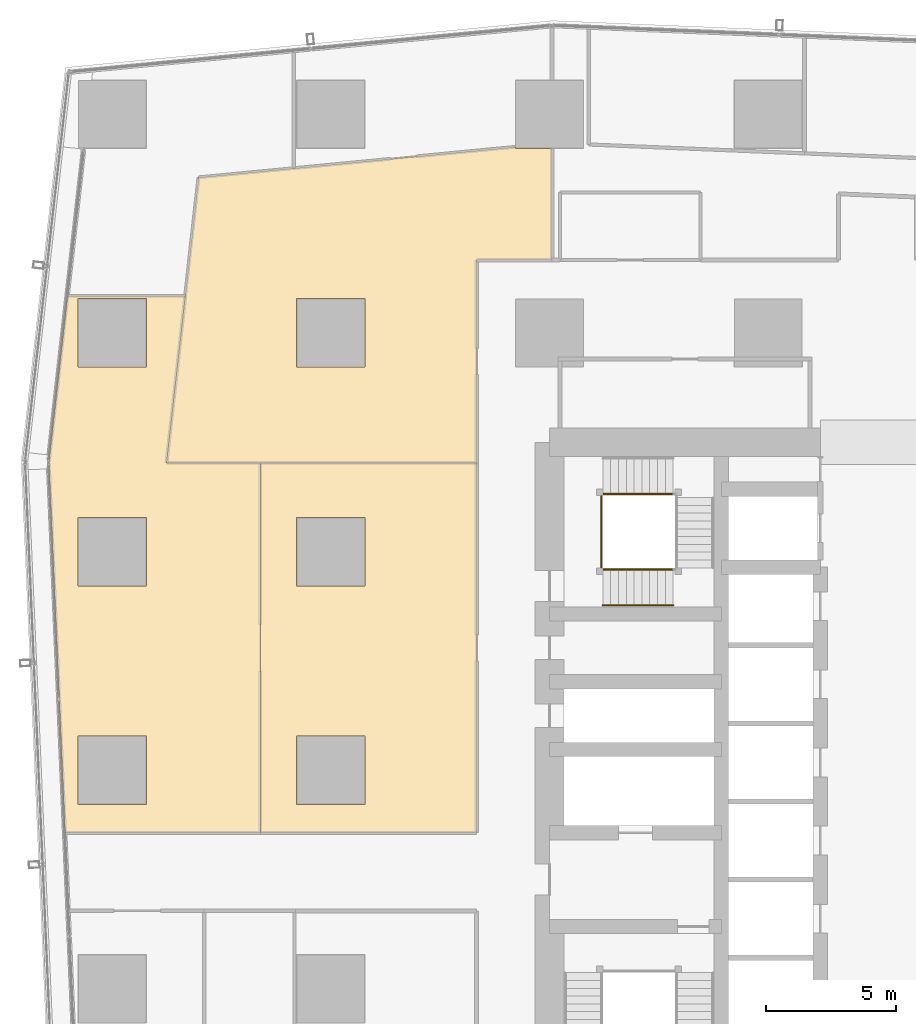
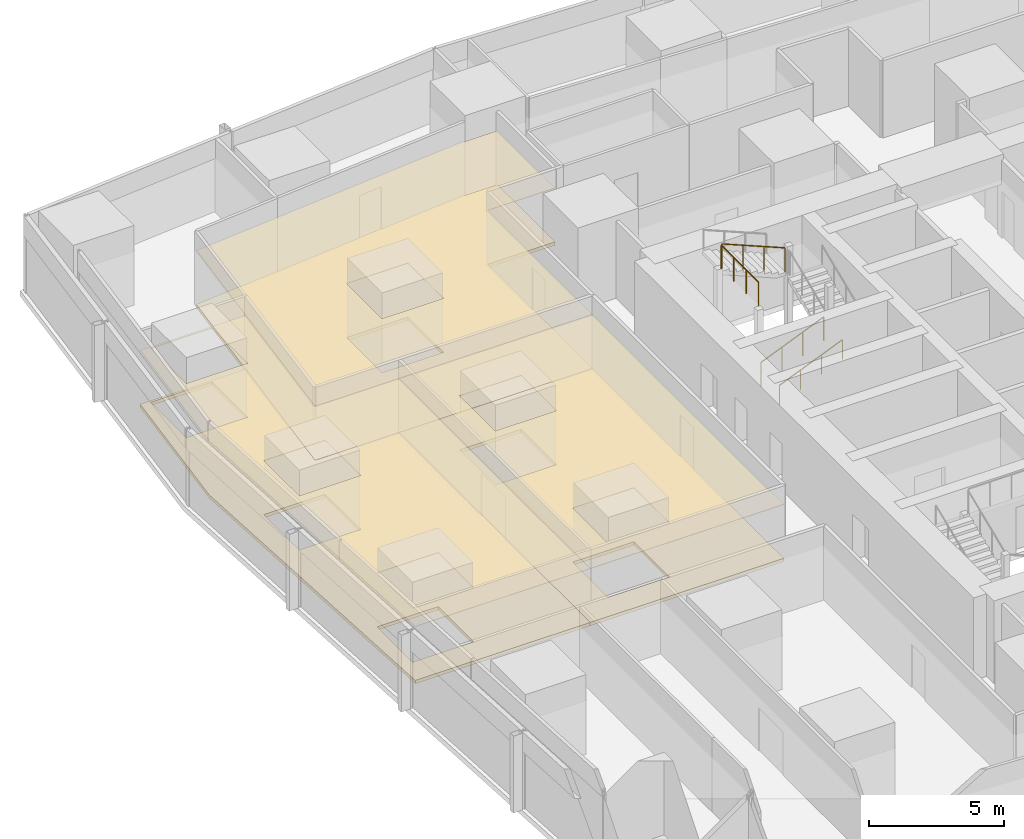
# One storey, part 42 of 46: 6 coverings, 4 railings.
"""IFC4 building model written with IfcOpenShell, lengths in metres."""

from ifc_helpers import new_model, si_unit, direction, frame, origin, origin_2d, place, context, subcontext, project, spatial, polyline, circle, outline, extrude, material, layer, layer_set, type_object, element, save


model = new_model("IFC4")

# Units and contexts
model_context = context("Model", 3, precision=1e-05, world=origin(), true_north=direction((0.0, 1.0)))
body_context = subcontext(model_context, "Body", "Model", "MODEL_VIEW")
ifc_project = project(units=[si_unit("LENGTHUNIT", "METRE"), si_unit("AREAUNIT", "SQUARE_METRE"), si_unit("VOLUMEUNIT", "CUBIC_METRE"), si_unit("PLANEANGLEUNIT", "RADIAN"), si_unit("MASSUNIT", "GRAM", prefix="KILO")], contexts=[model_context])

# Site, building, storey
site_placement = place(None, origin())
site = spatial("IfcSite", under=ifc_project, at=site_placement, CompositionType="ELEMENT")
building_placement = place(site_placement, origin())
building = spatial("IfcBuilding", under=site, at=building_placement, Name="Rekha Terrace Tower", CompositionType="ELEMENT")
storey_placement = place(building_placement, frame((0.0, 0.0, 29.14990234375)))
storey = spatial("IfcBuildingStorey", under=building, at=storey_placement, Name="L06", CompositionType="ELEMENT", Elevation=29.14990234375)

# Coverings
ifc_material_1 = material(Name="Mineral fibre tile in exposed grid", Category="finish")
ifc_layer_1 = layer(ifc_material_1, 0.02001953125)
ifc_layer_set_1 = layer_set([ifc_layer_1], Name="Mineral fibre tile in exposed grid")
covering_type_1 = type_object("IfcCoveringType", Name="CL1 600x1200 office grid ceiling", PredefinedType="CEILING", material=ifc_layer_set_1)
covering_1_placement = place(storey_placement, frame((0.0, 0.0, 2.580078125)))
element("IfcCovering", 1, at=covering_1_placement, inside=storey, type_object=covering_type_1, Name="Ceiling L06-O3", PredefinedType="CEILING", context=body_context, shape_type="SweptSolid", body=[
    extrude(outline(polyline([(11.719970703125, 56.37109375), (11.2080078125, 51.81494140625), (10.488037109375, 45.412109375), (22.39990234375, 45.412109375), (22.39990234375, 53.199951171875), (25.2900390625, 53.199951171875), (25.2900390625, 57.485107421875), (23.885009765625, 57.485107421875), (23.885009765625, 57.541015625), (15.35888671875, 56.720947265625), (11.719970703125, 56.37109375)]), holes=[polyline([(18.114990234375, 49.0849609375), (15.485107421875, 49.0849609375), (15.485107421875, 51.715087890625), (18.114990234375, 51.715087890625), (18.114990234375, 49.0849609375)])]), origin(), (0.0, 0.0, 1.0), 0.02001953125),
])
covering_2_placement = place(storey_placement, frame((0.0, 0.0, 2.580078125)))
element("IfcCovering", 2, at=covering_2_placement, inside=storey, type_object=covering_type_1, Name="Ceiling L06-10", PredefinedType="CEILING", context=body_context, shape_type="SweptSolid", body=[
    extrude(outline(polyline([(6.678955078125, 51.81494140625), (5.958984375, 45.412109375), (5.964111328125, 45.412109375), (6.4130859375, 35.160888671875), (6.5859375, 31.199951171875), (14.090087890625, 31.199951171875), (14.090087890625, 45.410888671875), (10.488037109375, 45.410888671875), (11.2080078125, 51.81494140625), (6.678955078125, 51.81494140625)]), holes=[polyline([(9.715087890625, 32.284912109375), (7.0849609375, 32.284912109375), (7.0849609375, 34.9150390625), (9.715087890625, 34.9150390625), (9.715087890625, 32.284912109375)]), polyline([(9.715087890625, 40.68505859375), (7.0849609375, 40.68505859375), (7.0849609375, 43.31494140625), (9.715087890625, 43.31494140625), (9.715087890625, 40.68505859375)]), polyline([(9.715087890625, 51.715087890625), (9.715087890625, 49.0849609375), (7.0849609375, 49.0849609375), (7.0849609375, 51.715087890625), (9.715087890625, 51.715087890625)])]), origin(), (0.0, 0.0, 1.0), 0.02001953125),
])
covering_3_placement = place(storey_placement, frame((0.0, 0.0, 2.580078125)))
element("IfcCovering", 3, at=covering_3_placement, inside=storey, type_object=covering_type_1, Name="Ceiling L06-O4", PredefinedType="CEILING", context=body_context, shape_type="SweptSolid", body=[
    extrude(outline(polyline([(14.090087890625, 45.410888671875), (14.090087890625, 31.199951171875), (22.39990234375, 31.199951171875), (22.39990234375, 45.410888671875), (14.090087890625, 45.410888671875)]), holes=[polyline([(18.114990234375, 32.284912109375), (15.485107421875, 32.284912109375), (15.485107421875, 34.9150390625), (18.114990234375, 34.9150390625), (18.114990234375, 32.284912109375)]), polyline([(18.114990234375, 40.68505859375), (15.485107421875, 40.68505859375), (15.485107421875, 43.31494140625), (18.114990234375, 43.31494140625), (18.114990234375, 40.68505859375)])]), origin(), (0.0, 0.0, 1.0), 0.02001953125),
])

# Railings
ifc_material_2 = material(Name="Stainless steel balustrade", Category="steel")
railing_type_1 = type_object("IfcRailingType", Name="GR1 1100 stair guard", PredefinedType="GUARDRAIL", material=ifc_material_2)
railing_1_placement = place(storey_placement, frame((27.25, 41.31494140625, 0.125)))
element("IfcRailing", 4, at=railing_1_placement, inside=storey, type_object=railing_type_1, Name="Guard ST4 L06 flight 1", PredefinedType="GUARDRAIL", context=body_context, shape_type="SweptSolid", body=[
    extrude(circle(Radius=0.02392578125, at=origin_2d()), frame((0.0, 0.0, 1.076171875), z_axis=(0.923074453586, 0.0, 0.384621311341), x_axis=(0.0, 1.0, 0.0)), (0.0, 0.0, 1.0), 2.925048828125),
    extrude(circle(Radius=0.02099609375, at=origin_2d()), origin(), (0.0, 0.0, 1.0), 1.052001953125),
    extrude(circle(Radius=0.02099609375, at=origin_2d()), frame((0.89990234375, 0.0, 0.375)), (0.0, 0.0, 1.0), 1.052001953125),
    extrude(circle(Radius=0.02099609375, at=origin_2d()), frame((1.800048828125, 0.0, 0.75)), (0.0, 0.0, 1.0), 1.052001953125),
    extrude(circle(Radius=0.02099609375, at=origin_2d()), frame((2.699951171875, 0.0, 1.125)), (0.0, 0.0, 1.0), 1.052001953125),
])
railing_2_placement = place(storey_placement, frame((29.949951171875, 44.2099609375, 2.625)))
element("IfcRailing", 5, at=railing_2_placement, inside=storey, type_object=railing_type_1, Name="Guard ST4 L06 flight 3", PredefinedType="GUARDRAIL", context=body_context, shape_type="SweptSolid", body=[
    extrude(circle(Radius=0.02392578125, at=origin_2d()), frame((0.0, 0.0, 1.076171875), z_axis=(-0.923074453586, 0.0, 0.384621311341), x_axis=(0.0, -1.0, 0.0)), (0.0, 0.0, 1.0), 2.925048828125),
    extrude(circle(Radius=0.02099609375, at=origin_2d()), origin(), (0.0, 0.0, 1.0), 1.052001953125),
    extrude(circle(Radius=0.02099609375, at=origin_2d()), frame((-0.89990234375, 0.0, 0.375)), (0.0, 0.0, 1.0), 1.052001953125),
    extrude(circle(Radius=0.02099609375, at=origin_2d()), frame((-1.800048828125, 0.0, 0.75)), (0.0, 0.0, 1.0), 1.052001953125),
    extrude(circle(Radius=0.02099609375, at=origin_2d()), frame((-2.699951171875, 0.0, 1.125)), (0.0, 0.0, 1.0), 1.052001953125),
])
railing_3_placement = place(storey_placement, frame((27.18994140625, 41.375, 3.75)))
element("IfcRailing", 6, at=railing_3_placement, inside=storey, type_object=railing_type_1, Name="Guard ST4 L06 landing 4", PredefinedType="GUARDRAIL", context=body_context, shape_type="SweptSolid", body=[
    extrude(circle(Radius=0.02392578125, at=origin_2d()), frame((0.0, 0.0, 1.076171875), z_axis=(0.0, 1.0, 0.0), x_axis=(-1.0, 0.0, 0.0)), (0.0, 0.0, 1.0), 2.77490234375),
    extrude(circle(Radius=0.02099609375, at=origin_2d()), origin(), (0.0, 0.0, 1.0), 1.052001953125),
    extrude(circle(Radius=0.02099609375, at=origin_2d()), frame((0.0, 0.925048828125, 0.0)), (0.0, 0.0, 1.0), 1.052001953125),
    extrude(circle(Radius=0.02099609375, at=origin_2d()), frame((0.0, 1.849853515625, 0.0)), (0.0, 0.0, 1.0), 1.052001953125),
    extrude(circle(Radius=0.02099609375, at=origin_2d()), frame((0.0, 2.77490234375, 0.0)), (0.0, 0.0, 1.0), 1.052001953125),
])
ifc_material_3 = material(Name="Stainless steel tube", Category="steel")
railing_type_2 = type_object("IfcRailingType", Name="HR1 900 stair handrail", PredefinedType="HANDRAIL", material=ifc_material_3)
railing_4_placement = place(storey_placement, frame((27.25, 39.93505859375, 0.125)))
element("IfcRailing", 7, at=railing_4_placement, inside=storey, type_object=railing_type_2, Name="Handrail ST4 L06 flight 1", PredefinedType="HANDRAIL", context=body_context, shape_type="SweptSolid", body=[
    extrude(circle(Radius=0.02392578125, at=origin_2d()), frame((0.0, 0.0, 0.8759765625), z_axis=(0.923074453586, 0.0, 0.384621311341), x_axis=(0.0, 1.0, 0.0)), (0.0, 0.0, 1.0), 2.925048828125),
    extrude(circle(Radius=0.02099609375, at=origin_2d()), origin(), (0.0, 0.0, 1.0), 0.851806640625),
    extrude(circle(Radius=0.02099609375, at=origin_2d()), frame((0.89990234375, 0.0, 0.375)), (0.0, 0.0, 1.0), 0.851806640625),
    extrude(circle(Radius=0.02099609375, at=origin_2d()), frame((1.800048828125, 0.0, 0.75)), (0.0, 0.0, 1.0), 0.851806640625),
    extrude(circle(Radius=0.02099609375, at=origin_2d()), frame((2.699951171875, 0.0, 1.125)), (0.0, 0.0, 1.0), 0.851806640625),
])

# Coverings
ifc_material_4 = material(Name="Calcium sulphate panels on steel pedestals", Category="steel")
ifc_layer_2 = layer(ifc_material_4, 0.14990234375)
ifc_layer_set_2 = layer_set([ifc_layer_2], Name="Calcium sulphate panels on steel pedestals")
covering_type_2 = type_object("IfcCoveringType", Name="RF1 150 raised access floor", PredefinedType="FLOORING", material=ifc_layer_set_2)
covering_4_placement = place(storey_placement, origin())
element("IfcCovering", 8, at=covering_4_placement, inside=storey, type_object=covering_type_2, Name="Raised floor L06-O3", PredefinedType="FLOORING", context=body_context, shape_type="SweptSolid", body=[
    extrude(outline(polyline([(11.719970703125, 56.37109375), (11.2080078125, 51.81494140625), (10.488037109375, 45.412109375), (22.39990234375, 45.412109375), (22.39990234375, 53.199951171875), (25.2900390625, 53.199951171875), (25.2900390625, 57.485107421875), (23.885009765625, 57.485107421875), (23.885009765625, 57.541015625), (15.35888671875, 56.720947265625), (11.719970703125, 56.37109375)]), holes=[polyline([(18.114990234375, 49.0849609375), (15.485107421875, 49.0849609375), (15.485107421875, 51.715087890625), (18.114990234375, 51.715087890625), (18.114990234375, 49.0849609375)])]), origin(), (0.0, 0.0, 1.0), 0.150146484375),
])
covering_5_placement = place(storey_placement, origin())
element("IfcCovering", 9, at=covering_5_placement, inside=storey, type_object=covering_type_2, Name="Raised floor L06-10", PredefinedType="FLOORING", context=body_context, shape_type="SweptSolid", body=[
    extrude(outline(polyline([(6.678955078125, 51.81494140625), (5.958984375, 45.412109375), (5.964111328125, 45.412109375), (6.4130859375, 35.160888671875), (6.5859375, 31.199951171875), (14.090087890625, 31.199951171875), (14.090087890625, 45.410888671875), (10.488037109375, 45.410888671875), (11.2080078125, 51.81494140625), (6.678955078125, 51.81494140625)]), holes=[polyline([(9.715087890625, 32.284912109375), (7.0849609375, 32.284912109375), (7.0849609375, 34.9150390625), (9.715087890625, 34.9150390625), (9.715087890625, 32.284912109375)]), polyline([(9.715087890625, 40.68505859375), (7.0849609375, 40.68505859375), (7.0849609375, 43.31494140625), (9.715087890625, 43.31494140625), (9.715087890625, 40.68505859375)]), polyline([(9.715087890625, 51.715087890625), (9.715087890625, 49.0849609375), (7.0849609375, 49.0849609375), (7.0849609375, 51.715087890625), (9.715087890625, 51.715087890625)])]), origin(), (0.0, 0.0, 1.0), 0.150146484375),
])
covering_6_placement = place(storey_placement, origin())
element("IfcCovering", 10, at=covering_6_placement, inside=storey, type_object=covering_type_2, Name="Raised floor L06-O4", PredefinedType="FLOORING", context=body_context, shape_type="SweptSolid", body=[
    extrude(outline(polyline([(14.090087890625, 45.410888671875), (14.090087890625, 31.199951171875), (22.39990234375, 31.199951171875), (22.39990234375, 45.410888671875), (14.090087890625, 45.410888671875)]), holes=[polyline([(18.114990234375, 32.284912109375), (15.485107421875, 32.284912109375), (15.485107421875, 34.9150390625), (18.114990234375, 34.9150390625), (18.114990234375, 32.284912109375)]), polyline([(18.114990234375, 40.68505859375), (15.485107421875, 40.68505859375), (15.485107421875, 43.31494140625), (18.114990234375, 43.31494140625), (18.114990234375, 40.68505859375)])]), origin(), (0.0, 0.0, 1.0), 0.150146484375),
])

save(model, "model.ifc")
